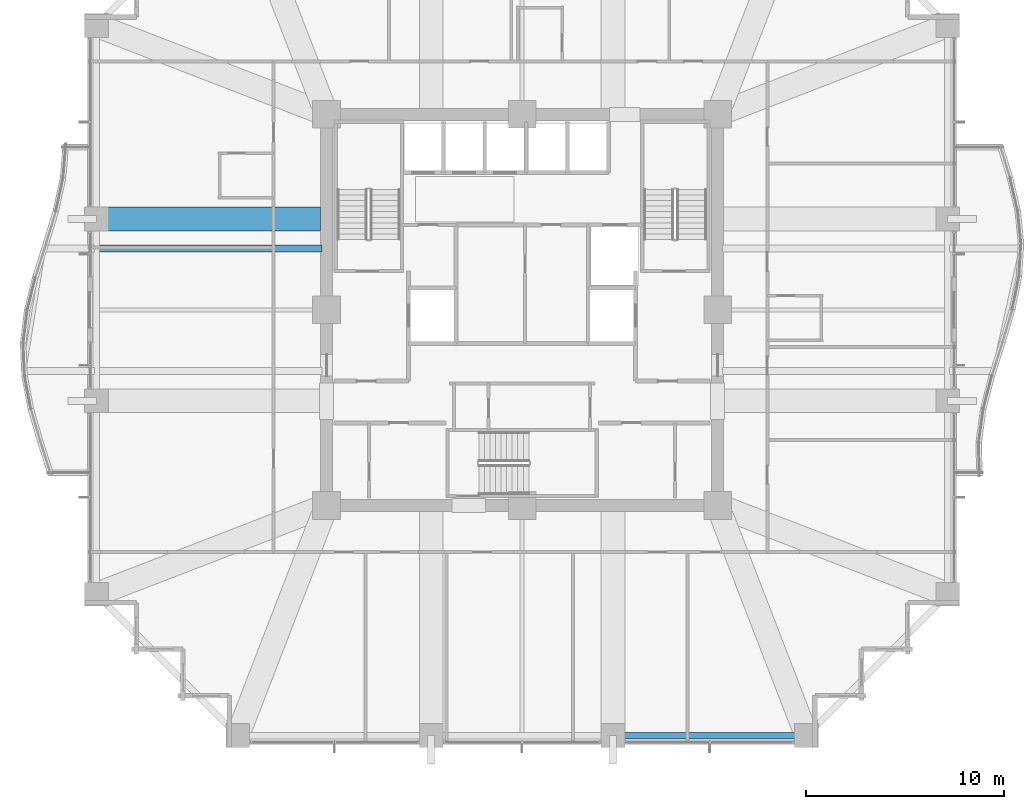
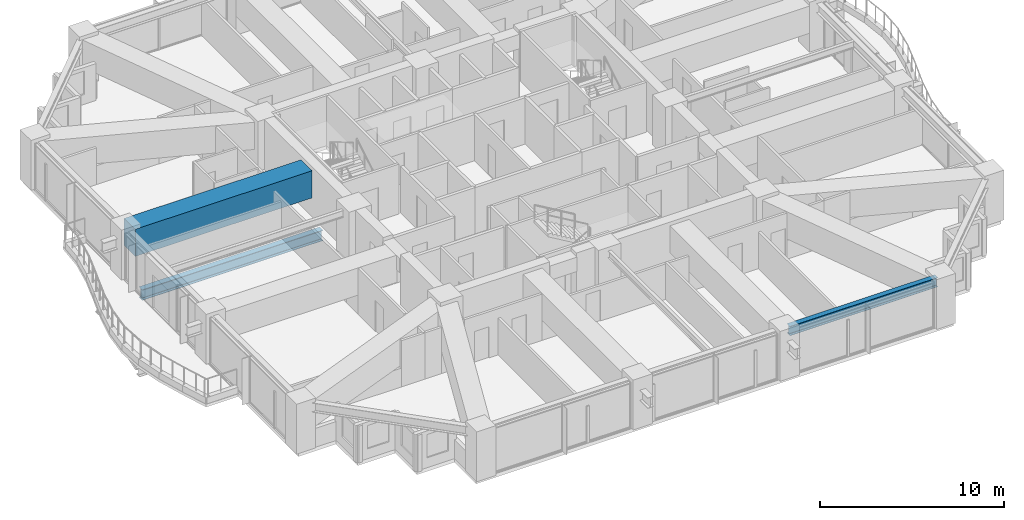
# One storey, part 11 of 39: 3 beams.
"""IFC4 building model written with IfcOpenShell, lengths in metres."""

from ifc_helpers import new_model, si_unit, direction, frame, origin, origin_2d, place, context, subcontext, project, spatial, rectangle, i_section, extrude, material, material_profile, profile_set, type_object, element, save


model = new_model("IFC4")

# Units and contexts
model_context = context("Model", 3, precision=1e-05, world=origin(), true_north=direction((0.0, 1.0)))
body_context = subcontext(model_context, "Body", "Model", "MODEL_VIEW")
ifc_project = project(units=[si_unit("LENGTHUNIT", "METRE"), si_unit("AREAUNIT", "SQUARE_METRE"), si_unit("VOLUMEUNIT", "CUBIC_METRE"), si_unit("PLANEANGLEUNIT", "RADIAN"), si_unit("MASSUNIT", "GRAM", prefix="KILO")], contexts=[model_context])

# Site, building, storey
site_placement = place(None, origin())
site = spatial("IfcSite", under=ifc_project, at=site_placement, CompositionType="ELEMENT")
building_placement = place(site_placement, origin())
building = spatial("IfcBuilding", under=site, at=building_placement, Name="Kolvaren Belvedere", CompositionType="ELEMENT")
storey_placement = place(building_placement, frame((0.0, 0.0, 40.300048828125)))
storey = spatial("IfcBuildingStorey", under=building, at=storey_placement, Name="L11", CompositionType="ELEMENT", Elevation=40.300048828125)

# Beams
ifc_material_1 = material(Name="Structural steel ASTM A992 Grade 50", Category="steel")
ifc_material_profile_1 = material_profile(ifc_material_1, i_section(OverallWidth=0.35498046875, OverallDepth=0.696044921875, WebThickness=0.015380859375, FlangeThickness=0.02490234375, FilletRadius=0.02197265625, at=origin_2d()), Name="W27X146")
ifc_profile_set_1 = profile_set([ifc_material_profile_1], Name="Structural steel ASTM A992 Grade 50")
beam_type_1 = type_object("IfcBeamType", Name="BM-GIRD-W27X146", PredefinedType="BEAM", material=ifc_profile_set_1)
beam_1_placement = place(storey_placement, frame((-10.139892578125, 3.10009765625, -0.588134765625), z_axis=(-1.0, 0.0, 0.0), x_axis=(0.0, -1.0, 0.0)))
element("IfcBeam", 1, at=beam_1_placement, inside=storey, type_object=beam_type_1, Name="L11 Balcony Interior Back-Span Girder BAL-W-2", PredefinedType="BEAM", context=body_context, shape_type="SweptSolid", body=[
    extrude(i_section(OverallWidth=0.35498046875, OverallDepth=0.696044921875, WebThickness=0.015380859375, FlangeThickness=0.02490234375, FilletRadius=0.02197265625, at=origin_2d()), origin(), (0.0, 0.0, 1.0), 11.315185546875),
])
ifc_material_2 = material(Name="Structural steel ASTM A992 Grade 50", Category="steel")
ifc_material_profile_2 = material_profile(ifc_material_2, i_section(OverallWidth=0.324951171875, OverallDepth=0.615966796875, WebThickness=0.013916015625, FlangeThickness=0.021484375, FilletRadius=0.02001953125, at=origin_2d()), Name="W24X117")
ifc_profile_set_2 = profile_set([ifc_material_profile_2], Name="Structural steel ASTM A992 Grade 50")
beam_type_2 = type_object("IfcBeamType", Name="BM-SPAN-W24X117", PredefinedType="SPANDREL", material=ifc_profile_set_2)
beam_2_placement = place(storey_placement, frame((4.8701171875, -21.550048828125, 2.751953125), z_axis=(1.0, 0.0, 0.0), x_axis=(0.0, 1.0, 0.0)))
element("IfcBeam", 2, at=beam_2_placement, inside=storey, type_object=beam_type_2, Name="L11 Perimeter Spandrel S3-S4", PredefinedType="SPANDREL", context=body_context, shape_type="SweptSolid", body=[
    extrude(i_section(OverallWidth=0.324951171875, OverallDepth=0.615966796875, WebThickness=0.013916015625, FlangeThickness=0.021484375, FilletRadius=0.02001953125, at=origin_2d()), origin(), (0.0, 0.0, 1.0), 9.259765625),
])
ifc_material_3 = material(Name="Concrete C50/60", Category="concrete")
ifc_material_profile_3 = material_profile(ifc_material_3, rectangle(XDim=1.199951171875, YDim=1.800048828125, at=origin_2d()), Name="RC 1200X1800")
ifc_profile_set_3 = profile_set([ifc_material_profile_3], Name="Concrete C50/60")
beam_type_3 = type_object("IfcBeamType", Name="BM-TG-1800", PredefinedType="BEAM", material=ifc_profile_set_3)
beam_3_placement = place(storey_placement, frame((-10.199951171875, 4.60009765625, 2.159912109375), z_axis=(-1.0, 0.0, 0.0), x_axis=(0.0, -1.0, 0.0)))
element("IfcBeam", 3, at=beam_3_placement, inside=storey, type_object=beam_type_3, Name="L11 West Radial Girder P", PredefinedType="BEAM", context=body_context, shape_type="SweptSolid", body=[
    extrude(rectangle(XDim=1.199951171875, YDim=1.800048828125, at=origin_2d()), origin(), (0.0, 0.0, 1.0), 11.080078125),
])

save(model, "model.ifc")
